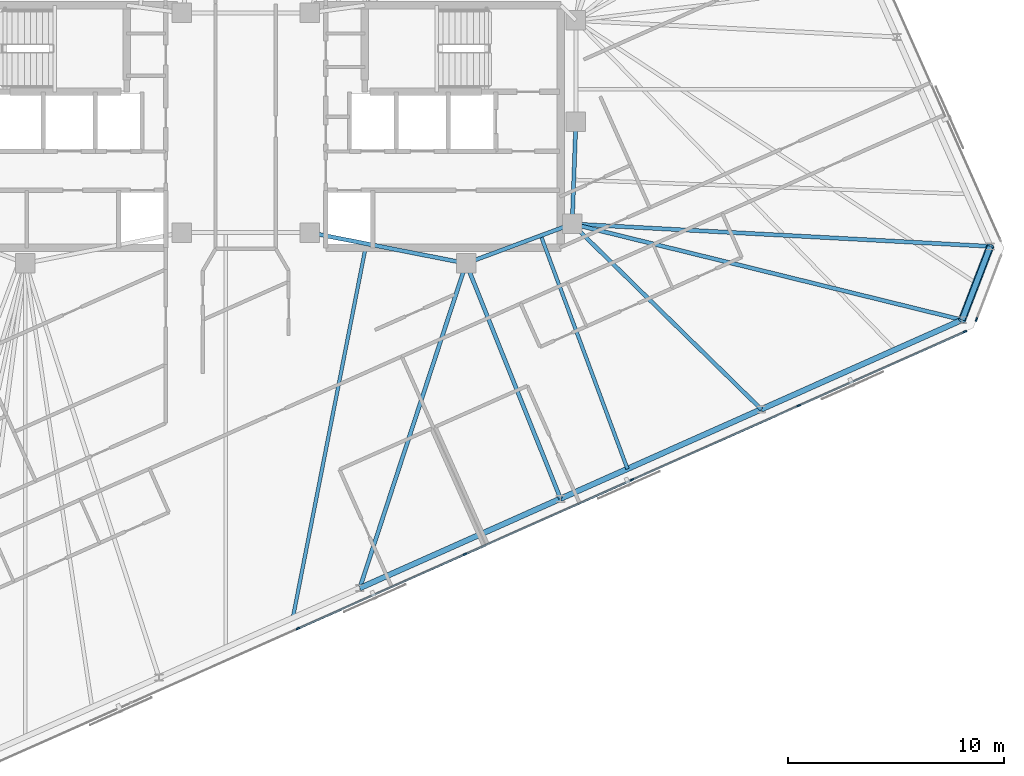
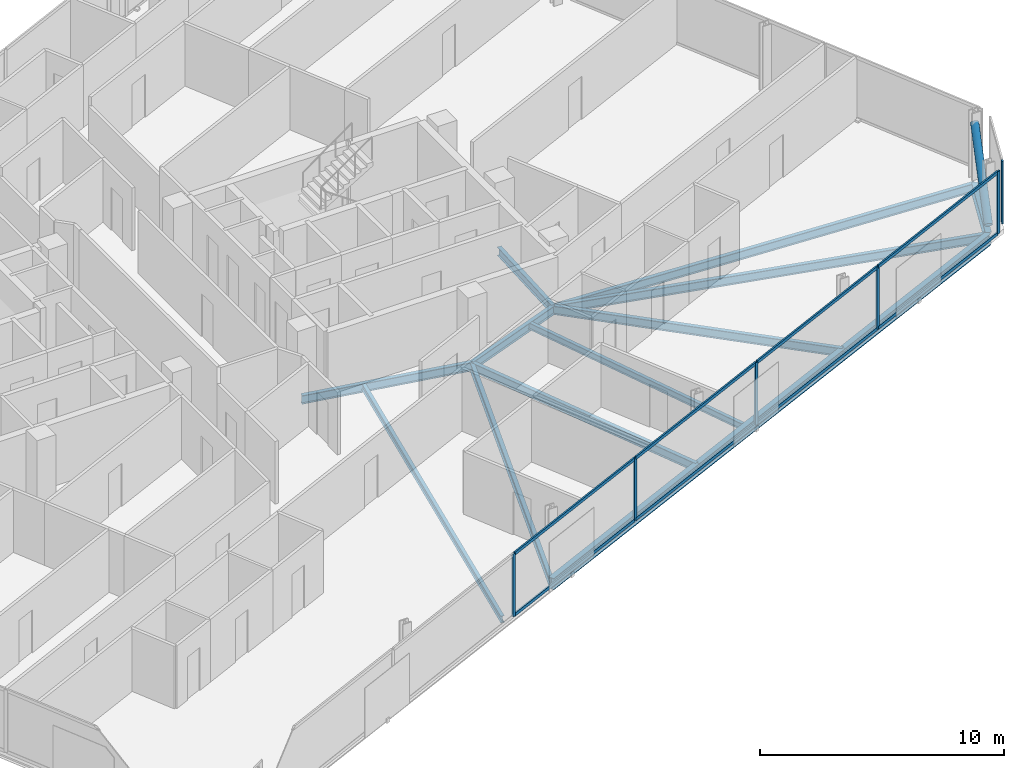
# One storey, part 7 of 19: 15 members, 14 beams, 2 elements without a shape of their own.
"""IFC4 building model written with IfcOpenShell, lengths in metres."""

from ifc_helpers import new_model, si_unit, direction, frame, origin, origin_2d, place, context, subcontext, project, spatial, rectangle, hollow_circle, i_section, extrude, material, material_profile, profile_set, type_object, element, aggregate, save


model = new_model("IFC4")

# Units and contexts
model_context = context("Model", 3, precision=1e-05, world=origin(), true_north=direction((0.0, 1.0)))
body_context = subcontext(model_context, "Body", "Model", "MODEL_VIEW")
ifc_project = project(units=[si_unit("LENGTHUNIT", "METRE"), si_unit("AREAUNIT", "SQUARE_METRE"), si_unit("VOLUMEUNIT", "CUBIC_METRE"), si_unit("PLANEANGLEUNIT", "RADIAN"), si_unit("MASSUNIT", "GRAM", prefix="KILO")], contexts=[model_context])

# Site, building, storey
site_placement = place(None, origin())
site = spatial("IfcSite", under=ifc_project, at=site_placement, CompositionType="ELEMENT")
building_placement = place(site_placement, origin())
building = spatial("IfcBuilding", under=site, at=building_placement, Name="Menara Jurai Vektor", CompositionType="ELEMENT")
storey_placement = place(building_placement, frame((0.0, 0.0, 265.550048828125)))
storey = spatial("IfcBuildingStorey", under=building, at=storey_placement, Name="L71", CompositionType="ELEMENT", Elevation=265.550048828125)

# Curtain wall, members
ifc_material_1 = material(Name="Anodised Pale Aluminium & Low-E Double Glazing", Category="aluminium")
curtain_wall_type = type_object("IfcCurtainWallType", Name="CW-BLK5", PredefinedType="NOTDEFINED", material=ifc_material_1)
curtain_wall_1_placement = place(storey_placement, origin())
curtain_wall_1 = element("IfcCurtainWall", 1, at=curtain_wall_1_placement, inside=storey, type_object=curtain_wall_type, Name="Unitised Curtain Wall L71 F01", PredefinedType="NOTDEFINED")
ifc_material_2 = material(Name="Anodised Pale Aluminium Mullion", Category="aluminium")
ifc_material_profile_1 = material_profile(ifc_material_2, rectangle(XDim=0.074951171875, YDim=0.175048828125, at=origin_2d()), Name="ALU MUL 75x175")
ifc_profile_set_1 = profile_set([ifc_material_profile_1], Name="Anodised Pale Aluminium Mullion")
member_type_1 = type_object("IfcMemberType", Name="CW-BLK5-MUL", PredefinedType="MULLION", material=ifc_profile_set_1)
member_1_placement = place(storey_placement, frame((2.417724609375, -23.190185546875, 0.0), z_axis=(0.0, 0.0, 1.0), x_axis=(-0.406735498684, 0.913545967158, 0.0)))
member_1 = element("IfcMember", 2, at=member_1_placement, type_object=member_type_1, Name="CW-05 mullion 3", PredefinedType="MULLION", context=body_context, shape_type="SweptSolid", body=[
    extrude(rectangle(XDim=0.074951171875, YDim=0.175048828125, at=origin_2d()), origin(), (0.0, 0.0, 1.0), 3.125),
])
member_2_placement = place(storey_placement, frame((10.1279296875, -19.75732421875, 0.0), z_axis=(0.0, 0.0, 1.0), x_axis=(-0.406735498684, 0.913545967158, 0.0)))
member_2 = element("IfcMember", 3, at=member_2_placement, type_object=member_type_1, Name="CW-05 mullion 4", PredefinedType="MULLION", context=body_context, shape_type="SweptSolid", body=[
    extrude(rectangle(XDim=0.074951171875, YDim=0.175048828125, at=origin_2d()), origin(), (0.0, 0.0, 1.0), 3.125),
])
member_3_placement = place(storey_placement, frame((17.83837890625, -16.324462890625, 0.0), z_axis=(0.0, 0.0, 1.0), x_axis=(-0.406735498684, 0.913545967158, 0.0)))
member_3 = element("IfcMember", 4, at=member_3_placement, type_object=member_type_1, Name="CW-05 mullion 5", PredefinedType="MULLION", context=body_context, shape_type="SweptSolid", body=[
    extrude(rectangle(XDim=0.074951171875, YDim=0.175048828125, at=origin_2d()), origin(), (0.0, 0.0, 1.0), 3.125),
])
member_4_placement = place(storey_placement, frame((25.548583984375, -12.8916015625, 0.0), z_axis=(0.0, 0.0, 1.0), x_axis=(-0.406735498684, 0.913545967158, 0.0)))
member_4 = element("IfcMember", 5, at=member_4_placement, type_object=member_type_1, Name="CW-05 mullion 6", PredefinedType="MULLION", context=body_context, shape_type="SweptSolid", body=[
    extrude(rectangle(XDim=0.074951171875, YDim=0.175048828125, at=origin_2d()), origin(), (0.0, 0.0, 1.0), 3.125),
])
member_5_placement = place(storey_placement, frame((33.224853515625, -9.47412109375, 0.0), z_axis=(0.0, 0.0, 1.0), x_axis=(-0.406735498684, 0.913545967158, 0.0)))
member_5 = element("IfcMember", 6, at=member_5_placement, type_object=member_type_1, Name="CW-05 mullion 7", PredefinedType="MULLION", context=body_context, shape_type="SweptSolid", body=[
    extrude(rectangle(XDim=0.074951171875, YDim=0.175048828125, at=origin_2d()), origin(), (0.0, 0.0, 1.0), 3.125),
])

# Curtain wall, member
curtain_wall_2_placement = place(storey_placement, origin())
curtain_wall_2 = element("IfcCurtainWall", 7, at=curtain_wall_2_placement, inside=storey, type_object=curtain_wall_type, Name="Unitised Curtain Wall L71 F02", PredefinedType="NOTDEFINED")
member_6_placement = place(storey_placement, frame((33.755859375, -8.914306640625, 0.0), z_axis=(0.0, 0.0, 1.0), x_axis=(-0.933578193639, 0.358373766287, 0.0)))
member_6 = element("IfcMember", 8, at=member_6_placement, type_object=member_type_1, Name="CW-05 mullion 1", PredefinedType="MULLION", context=body_context, shape_type="SweptSolid", body=[
    extrude(rectangle(XDim=0.074951171875, YDim=0.175048828125, at=origin_2d()), origin(), (0.0, 0.0, 1.0), 3.125),
])
aggregate(curtain_wall_2, [member_6])

# Member
ifc_material_3 = material(Name="Anodised Pale Aluminium Transom", Category="aluminium")
ifc_material_profile_2 = material_profile(ifc_material_3, rectangle(XDim=0.074951171875, YDim=0.155029296875, at=origin_2d()), Name="ALU TRN 75x155")
ifc_profile_set_2 = profile_set([ifc_material_profile_2], Name="Anodised Pale Aluminium Transom")
member_type_2 = type_object("IfcMemberType", Name="CW-BLK5-TRN", PredefinedType="USERDEFINED", material=ifc_profile_set_2)
member_7_placement = place(storey_placement, frame((2.451904296875, -23.175048828125, 0.037353515625), z_axis=(0.913546575494, 0.406734132331, 0.0), x_axis=(-0.406734132331, 0.913546575494, 0.0)))
member_7 = element("IfcMember", 9, at=member_7_placement, type_object=member_type_2, Name="CW-05 transom 3.1", ObjectType="TRANSOM", PredefinedType="USERDEFINED", context=body_context, shape_type="SweptSolid", body=[
    extrude(rectangle(XDim=0.074951171875, YDim=0.155029296875, at=origin_2d()), origin(), (0.0, 0.0, 1.0), 8.364990234375),
])

member_8_placement = place(storey_placement, frame((2.451904296875, -23.175048828125, 3.08740234375), z_axis=(0.913546575494, 0.406734132331, 0.0), x_axis=(-0.406734132331, 0.913546575494, 0.0)))
member_8 = element("IfcMember", 10, at=member_8_placement, type_object=member_type_2, Name="CW-05 transom 3.2", ObjectType="TRANSOM", PredefinedType="USERDEFINED", context=body_context, shape_type="SweptSolid", body=[
    extrude(rectangle(XDim=0.074951171875, YDim=0.155029296875, at=origin_2d()), origin(), (0.0, 0.0, 1.0), 8.364990234375),
])

member_9_placement = place(storey_placement, frame((10.162353515625, -19.7421875, 0.037353515625), z_axis=(0.913541747007, 0.406744977198, 0.0), x_axis=(-0.406744977198, 0.913541747007, 0.0)))
member_9 = element("IfcMember", 11, at=member_9_placement, type_object=member_type_2, Name="CW-05 transom 4.1", ObjectType="TRANSOM", PredefinedType="USERDEFINED", context=body_context, shape_type="SweptSolid", body=[
    extrude(rectangle(XDim=0.074951171875, YDim=0.155029296875, at=origin_2d()), origin(), (0.0, 0.0, 1.0), 8.36474609375),
])

member_10_placement = place(storey_placement, frame((10.162353515625, -19.7421875, 3.08740234375), z_axis=(0.913541747007, 0.406744977198, 0.0), x_axis=(-0.406744977198, 0.913541747007, 0.0)))
member_10 = element("IfcMember", 12, at=member_10_placement, type_object=member_type_2, Name="CW-05 transom 4.2", ObjectType="TRANSOM", PredefinedType="USERDEFINED", context=body_context, shape_type="SweptSolid", body=[
    extrude(rectangle(XDim=0.074951171875, YDim=0.155029296875, at=origin_2d()), origin(), (0.0, 0.0, 1.0), 8.36474609375),
])

member_11_placement = place(storey_placement, frame((17.87255859375, -16.309326171875, 0.037353515625), z_axis=(0.913546575494, 0.406734132331, 0.0), x_axis=(-0.406734132331, 0.913546575494, 0.0)))
member_11 = element("IfcMember", 13, at=member_11_placement, type_object=member_type_2, Name="CW-05 transom 5.1", ObjectType="TRANSOM", PredefinedType="USERDEFINED", context=body_context, shape_type="SweptSolid", body=[
    extrude(rectangle(XDim=0.074951171875, YDim=0.155029296875, at=origin_2d()), origin(), (0.0, 0.0, 1.0), 8.364990234375),
])

member_12_placement = place(storey_placement, frame((17.87255859375, -16.309326171875, 3.08740234375), z_axis=(0.913546575494, 0.406734132331, 0.0), x_axis=(-0.406734132331, 0.913546575494, 0.0)))
member_12 = element("IfcMember", 14, at=member_12_placement, type_object=member_type_2, Name="CW-05 transom 5.2", ObjectType="TRANSOM", PredefinedType="USERDEFINED", context=body_context, shape_type="SweptSolid", body=[
    extrude(rectangle(XDim=0.074951171875, YDim=0.155029296875, at=origin_2d()), origin(), (0.0, 0.0, 1.0), 8.364990234375),
])

member_13_placement = place(storey_placement, frame((25.5830078125, -12.87646484375, 0.037353515625), z_axis=(0.91353811338, 0.406753138159, 0.0), x_axis=(-0.406753138159, 0.91353811338, 0.0)))
member_13 = element("IfcMember", 15, at=member_13_placement, type_object=member_type_2, Name="CW-05 transom 6.1", ObjectType="TRANSOM", PredefinedType="USERDEFINED", context=body_context, shape_type="SweptSolid", body=[
    extrude(rectangle(XDim=0.074951171875, YDim=0.155029296875, at=origin_2d()), origin(), (0.0, 0.0, 1.0), 8.327392578125),
])

member_14_placement = place(storey_placement, frame((25.5830078125, -12.87646484375, 3.08740234375), z_axis=(0.91353811338, 0.406753138159, 0.0), x_axis=(-0.406753138159, 0.91353811338, 0.0)))
member_14 = element("IfcMember", 16, at=member_14_placement, type_object=member_type_2, Name="CW-05 transom 6.2", ObjectType="TRANSOM", PredefinedType="USERDEFINED", context=body_context, shape_type="SweptSolid", body=[
    extrude(rectangle(XDim=0.074951171875, YDim=0.155029296875, at=origin_2d()), origin(), (0.0, 0.0, 1.0), 8.327392578125),
])

aggregate(curtain_wall_1, [member_1, member_2, member_3, member_4, member_5, member_7, member_8, member_9, member_10, member_11, member_12, member_13, member_14])

# Beams
ifc_material_4 = material(Name="Steel S355", Category="steel")
ifc_material_profile_3 = material_profile(ifc_material_4, i_section(OverallWidth=0.18505859375, OverallDepth=0.429931640625, WebThickness=0.010986328125, FlangeThickness=0.01806640625, at=origin_2d()), Name="PG 430x185x76")
ifc_profile_set_3 = profile_set([ifc_material_profile_3], Name="Steel S355")
beam_type_1 = type_object("IfcBeamType", Name="STR-BM-430", PredefinedType="BEAM", material=ifc_profile_set_3)
beam_1_placement = place(storey_placement, frame((15.080078125, -4.5, -0.43994140625), z_axis=(0.035977314146, 0.999352606874, 0.0), x_axis=(-0.999352606874, 0.035977314146, 0.0)))
element("IfcBeam", 17, at=beam_1_placement, inside=storey, type_object=beam_type_1, Name="Core Ring Header Girder L71-CHE-E2", PredefinedType="BEAM", context=body_context, shape_type="SweptSolid", body=[
    extrude(i_section(OverallWidth=0.18505859375, OverallDepth=0.429931640625, WebThickness=0.010986328125, FlangeThickness=0.01806640625, at=origin_2d()), origin(), (0.0, 0.0, 1.0), 4.72314453125),
])
beam_2_placement = place(storey_placement, frame((10.179931640625, -6.320068359375, -0.43994140625), z_axis=(0.937424400887, 0.348188874925, 0.0), x_axis=(-0.348188874925, 0.937424400887, 0.0)))
element("IfcBeam", 18, at=beam_2_placement, inside=storey, type_object=beam_type_1, Name="Core Ring Header Girder L71-CHE-S1", PredefinedType="BEAM", context=body_context, shape_type="SweptSolid", body=[
    extrude(i_section(OverallWidth=0.18505859375, OverallDepth=0.429931640625, WebThickness=0.010986328125, FlangeThickness=0.01806640625, at=origin_2d()), origin(), (0.0, 0.0, 1.0), 5.227294921875),
])
beam_3_placement = place(storey_placement, frame((2.949951171875, -4.89990234375, -0.43994140625), z_axis=(0.981249044334, -0.192744164614, 0.0), x_axis=(0.192744164614, 0.981249044334, 0.0)))
element("IfcBeam", 19, at=beam_3_placement, inside=storey, type_object=beam_type_1, Name="Core Ring Header Girder L71-CHE-S2", PredefinedType="BEAM", context=body_context, shape_type="SweptSolid", body=[
    extrude(i_section(OverallWidth=0.18505859375, OverallDepth=0.429931640625, WebThickness=0.010986328125, FlangeThickness=0.01806640625, at=origin_2d()), origin(), (0.0, 0.0, 1.0), 7.3681640625),
])
beam_4_placement = place(storey_placement, frame((5.267578125, -21.3193359375, -0.43994140625), z_axis=(0.311239486704, 0.950331511587, 0.0), x_axis=(-0.950331511587, 0.311239486704, 0.0)))
element("IfcBeam", 20, at=beam_4_placement, inside=storey, type_object=beam_type_1, Name="Radial Floor Girder L71-S3", PredefinedType="BEAM", context=body_context, shape_type="SweptSolid", body=[
    extrude(i_section(OverallWidth=0.18505859375, OverallDepth=0.429931640625, WebThickness=0.010986328125, FlangeThickness=0.01806640625, at=origin_2d()), origin(), (0.0, 0.0, 1.0), 15.783203125),
])
beam_5_placement = place(storey_placement, frame((14.541015625, -17.1904296875, -0.43994140625), z_axis=(-0.372342852726, 0.928095253745, 0.0), x_axis=(-0.928095253745, -0.372342852726, 0.0)))
element("IfcBeam", 21, at=beam_5_placement, inside=storey, type_object=beam_type_1, Name="Radial Floor Girder L71-S4", PredefinedType="BEAM", context=body_context, shape_type="SweptSolid", body=[
    extrude(i_section(OverallWidth=0.18505859375, OverallDepth=0.429931640625, WebThickness=0.010986328125, FlangeThickness=0.01806640625, at=origin_2d()), origin(), (0.0, 0.0, 1.0), 11.712646484375),
])
beam_6_placement = place(storey_placement, frame((23.814697265625, -13.061767578125, -0.43994140625), z_axis=(-0.714137598149, 0.70000535063, 0.0), x_axis=(-0.70000535063, -0.714137598149, 0.0)))
element("IfcBeam", 22, at=beam_6_placement, inside=storey, type_object=beam_type_1, Name="Radial Floor Girder L71-S5", PredefinedType="BEAM", context=body_context, shape_type="SweptSolid", body=[
    extrude(i_section(OverallWidth=0.18505859375, OverallDepth=0.429931640625, WebThickness=0.010986328125, FlangeThickness=0.01806640625, at=origin_2d()), origin(), (0.0, 0.0, 1.0), 12.23095703125),
])
beam_7_placement = place(storey_placement, frame((33.088134765625, -8.932861328125, -0.43994140625), z_axis=(-0.971013515776, 0.239024584888, 0.0), x_axis=(-0.239024584888, -0.971013515776, 0.0)))
element("IfcBeam", 23, at=beam_7_placement, inside=storey, type_object=beam_type_1, Name="Radial Floor Girder L71-S6", PredefinedType="BEAM", context=body_context, shape_type="SweptSolid", body=[
    extrude(i_section(OverallWidth=0.18505859375, OverallDepth=0.429931640625, WebThickness=0.010986328125, FlangeThickness=0.01806640625, at=origin_2d()), origin(), (0.0, 0.0, 1.0), 18.545654296875),
])
beam_8_placement = place(storey_placement, frame((34.3916015625, -5.536865234375, -0.43994140625), z_axis=(-0.998561718759, 0.053614306189, 0.0), x_axis=(-0.053614306189, -0.998561718759, 0.0)))
element("IfcBeam", 24, at=beam_8_placement, inside=storey, type_object=beam_type_1, Name="Radial Floor Girder L71-E1", PredefinedType="BEAM", context=body_context, shape_type="SweptSolid", body=[
    extrude(i_section(OverallWidth=0.18505859375, OverallDepth=0.429931640625, WebThickness=0.010986328125, FlangeThickness=0.01806640625, at=origin_2d()), origin(), (0.0, 0.0, 1.0), 19.33935546875),
])

# Member
ifc_material_5 = material(Name="Steel S460", Category="steel")
ifc_material_profile_4 = material_profile(ifc_material_5, hollow_circle(Radius=0.177734375, WallThickness=0.01611328125, at=origin_2d()), Name="CHS 355.6x16")
ifc_profile_set_4 = profile_set([ifc_material_profile_4], Name="Steel S460")
member_type_3 = type_object("IfcMemberType", Name="STR-BR-356", PredefinedType="BRACE", material=ifc_profile_set_4)
member_15_placement = place(storey_placement, frame((33.088134765625, -8.932861328125, 0.14990234375), z_axis=(0.290575939475, 0.757054002265, 0.585179340931), x_axis=(-0.933592747566, 0.358335850414, 0.0)))
element("IfcMember", 25, at=member_15_placement, inside=storey, type_object=member_type_3, Name="Exoskeleton Corner Brace L71-1", PredefinedType="BRACE", context=body_context, shape_type="SweptSolid", body=[
    extrude(hollow_circle(Radius=0.177734375, WallThickness=0.01611328125, at=origin_2d()), origin(), (0.0, 0.0, 1.0), 4.48583984375),
])

# Beams
ifc_material_profile_5 = material_profile(ifc_material_4, i_section(OverallWidth=0.1650390625, OverallDepth=0.330078125, WebThickness=0.009033203125, FlangeThickness=0.013916015625, at=origin_2d()), Name="PG 330x165x46")
ifc_profile_set_5 = profile_set([ifc_material_profile_5], Name="Steel S355")
beam_type_2 = type_object("IfcBeamType", Name="STR-JS-330", PredefinedType="JOIST", material=ifc_profile_set_5)
beam_9_placement = place(storey_placement, frame((2.176513671875, -22.695556640625, -0.39013671875), z_axis=(0.192710503651, 0.981255655669, 0.0), x_axis=(-0.981255655669, 0.192710503651, 0.0)))
element("IfcBeam", 26, at=beam_9_placement, inside=storey, type_object=beam_type_2, Name="Radial Secondary Floor Joist L71-JS04", PredefinedType="JOIST", context=body_context, shape_type="SweptSolid", body=[
    extrude(i_section(OverallWidth=0.1650390625, OverallDepth=0.330078125, WebThickness=0.009033203125, FlangeThickness=0.013916015625, at=origin_2d()), origin(), (0.0, 0.0, 1.0), 17.61083984375),
])
beam_10_placement = place(storey_placement, frame((17.632080078125, -15.814208984375, -0.39013671875), z_axis=(-0.348172664726, 0.937430421705, 0.0), x_axis=(-0.937430421705, -0.348172664726, 0.0)))
element("IfcBeam", 27, at=beam_10_placement, inside=storey, type_object=beam_type_2, Name="Radial Secondary Floor Joist L71-JS05", PredefinedType="JOIST", context=body_context, shape_type="SweptSolid", body=[
    extrude(i_section(OverallWidth=0.1650390625, OverallDepth=0.330078125, WebThickness=0.009033203125, FlangeThickness=0.013916015625, at=origin_2d()), origin(), (0.0, 0.0, 1.0), 11.494873046875),
])
ifc_material_profile_6 = material_profile(ifc_material_4, i_section(OverallWidth=0.260009765625, OverallDepth=0.570068359375, WebThickness=0.013916015625, FlangeThickness=0.02392578125, at=origin_2d()), Name="PG 570x260x145")
ifc_profile_set_6 = profile_set([ifc_material_profile_6], Name="Steel S355")
beam_type_3 = type_object("IfcBeamType", Name="STR-SP-570", PredefinedType="SPANDREL", material=ifc_profile_set_6)
for number, where, z_axis, x_axis, name in (
    (28, (5.267578125, -21.3193359375, -0.510009765625), (0.913541582548, 0.406745346568, 0.0), (-0.406745346568, 0.913541582548, 0.0), "Exoskeleton Spandrel Beam L71-03"),
    (29, (14.541015625, -17.1904296875, -0.510009765625), (0.913554497648, 0.406716338284, 0.0), (-0.406716338284, 0.913554497648, 0.0), "Exoskeleton Spandrel Beam L71-04"),
    (30, (23.814697265625, -13.061767578125, -0.510009765625), (0.913541582548, 0.406745346568, 0.0), (-0.406745346568, 0.913541582548, 0.0), "Exoskeleton Spandrel Beam L71-05"),
):
    element("IfcBeam", number, at=place(storey_placement, frame(where, z_axis=z_axis, x_axis=x_axis)), inside=storey, type_object=beam_type_3, Name=name, PredefinedType="SPANDREL", context=body_context, shape_type="SweptSolid", body=[
        extrude(i_section(OverallWidth=0.260009765625, OverallDepth=0.570068359375, WebThickness=0.013916015625, FlangeThickness=0.02392578125, at=origin_2d()), origin(), (0.0, 0.0, 1.0), 10.151123046875),
    ])
beam_11_placement = place(storey_placement, frame((33.088134765625, -8.932861328125, -0.510009765625), z_axis=(0.358335850414, 0.933592747566, 0.0), x_axis=(-0.933592747566, 0.358335850414, 0.0)))
element("IfcBeam", 31, at=beam_11_placement, inside=storey, type_object=beam_type_3, Name="Exoskeleton Spandrel Beam L71-06", PredefinedType="SPANDREL", context=body_context, shape_type="SweptSolid", body=[
    extrude(i_section(OverallWidth=0.260009765625, OverallDepth=0.570068359375, WebThickness=0.013916015625, FlangeThickness=0.02392578125, at=origin_2d()), origin(), (0.0, 0.0, 1.0), 3.637451171875),
])

save(model, "model.ifc")
